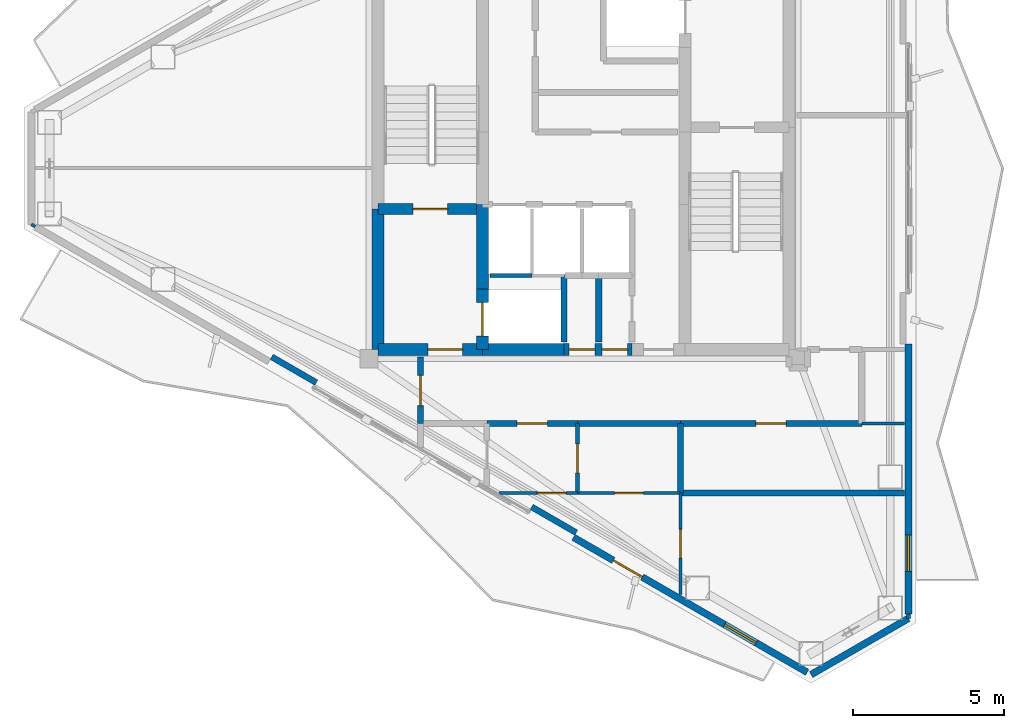
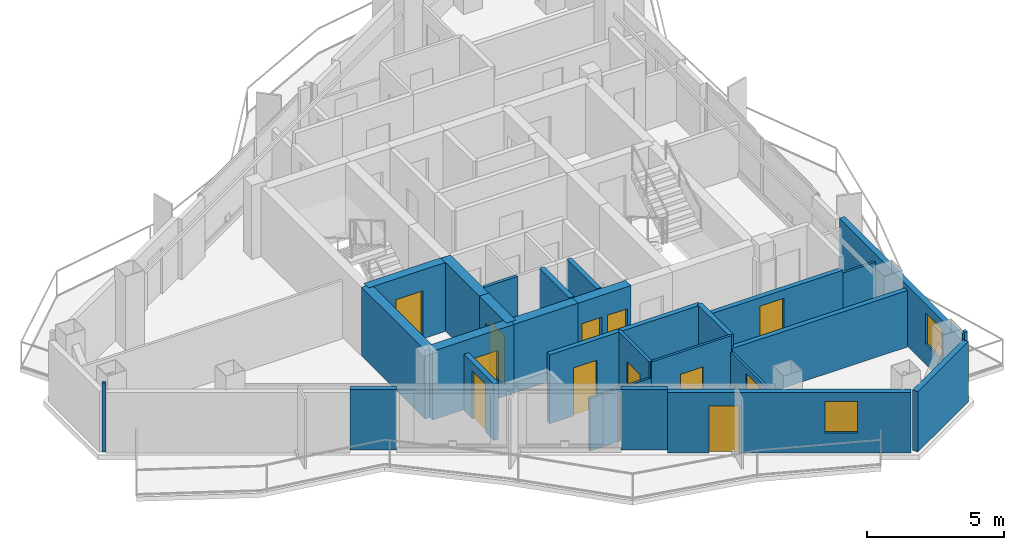
# One storey, part 14 of 18: 28 walls, 13 doors, 2 windows, 15 openings.
"""IFC4 building model written with IfcOpenShell, lengths in metres."""

from ifc_helpers import new_model, si_unit, direction, frame, frame_2d, origin, place, context, subcontext, project, spatial, rectangle, extrude, material, layer, layer_set, type_object, element, fill, save


model = new_model("IFC4")

# Units and contexts
model_context = context("Model", 3, precision=1e-05, world=origin(), true_north=direction((0.0, 1.0)))
body_context = subcontext(model_context, "Body", "Model", "MODEL_VIEW")
ifc_project = project(units=[si_unit("LENGTHUNIT", "METRE"), si_unit("AREAUNIT", "SQUARE_METRE"), si_unit("VOLUMEUNIT", "CUBIC_METRE"), si_unit("PLANEANGLEUNIT", "RADIAN"), si_unit("MASSUNIT", "GRAM", prefix="KILO")], contexts=[model_context])

# Site, building, storey
site_placement = place(None, origin())
site = spatial("IfcSite", under=ifc_project, at=site_placement, CompositionType="ELEMENT")
building_placement = place(site_placement, origin())
building = spatial("IfcBuilding", under=site, at=building_placement, Name="Mersakhor Tower and Convention Hall", CompositionType="ELEMENT")
storey_placement = place(building_placement, frame((0.0, 0.0, 229.800048828125)))
storey = spatial("IfcBuildingStorey", under=building, at=storey_placement, Name="L64", CompositionType="ELEMENT", Elevation=229.800048828125)

# Wall
ifc_material_1 = material(Name="Precast concrete C40/50", Category="concrete")
ifc_layer_1 = layer(ifc_material_1, 0.22509765625)
ifc_layer_set_1 = layer_set([ifc_layer_1], Name="Precast concrete C40/50")
wall_type_1 = type_object("IfcWallType", Name="WL-EXT-225", PredefinedType="SOLIDWALL", material=ifc_layer_set_1)
wall_1_placement = place(storey_placement, frame((39.742919921875, 11.858154296875, 0.0), z_axis=(0.0, 0.0, 1.0), x_axis=(-0.866038962515, -0.499976514854, 0.0)))
element("IfcWall", 1, at=wall_1_placement, inside=storey, type_object=wall_type_1, Name="L64 Chamfer Braced Spandrel Wall C2", PredefinedType="SOLIDWALL", context=body_context, shape_type="SweptSolid", body=[
    extrude(rectangle(XDim=3.715576171875, YDim=0.22509765625, at=frame_2d((1.85791015625, 0.0))), origin(), (0.0, 0.0, 1.0), 2.699951171875),
])

# Wall, opening, window
wall_2_placement = place(storey_placement, frame((39.742919921875, 20.93603515625, 0.0), z_axis=(0.0, 0.0, 1.0), x_axis=(0.0, -1.0, 0.0)))
wall_2 = element("IfcWall", 2, at=wall_2_placement, inside=storey, type_object=wall_type_1, Name="L64 Exterior Facade Wall F2-B3", PredefinedType="SOLIDWALL", context=body_context, shape_type="SweptSolid", body=[
    extrude(rectangle(XDim=8.927734375, YDim=0.22509765625, at=frame_2d((4.4638671875, 0.0))), origin(), (0.0, 0.0, 1.0), 2.699951171875),
])
opening_1_placement = place(wall_2_placement, frame((6.322021484375, 0.0, 0.89990234375)))
opening_1 = element("IfcOpeningElement", 3, at=opening_1_placement, cuts=wall_2, Name="Opening W-01", PredefinedType="OPENING", context=body_context, shape_type="SweptSolid", body=[
    extrude(rectangle(XDim=1.199951171875, YDim=1.39990234375, at=frame_2d((0.60009765625, 0.699951171875))), frame((0.0, 0.12255859375, 0.0), z_axis=(0.0, -1.0, 0.0), x_axis=(1.0, 0.0, 0.0)), (0.0, 0.0, 1.0), 0.2451171875),
])
ifc_material_2 = material(Name="Dark solar low-E glazed aluminium window", Category="aluminium")
window_type = type_object("IfcWindowType", Name="WN-RES-120x150", PartitioningType="SINGLE_PANEL", PredefinedType="WINDOW", material=ifc_material_2)
window_1_placement = place(opening_1_placement, origin())
window_1 = element("IfcWindow", 4, at=window_1_placement, inside=storey, type_object=window_type, Name="L64 Bedroom Facade Window F2-B3-1", OverallHeight=1.39990234375, OverallWidth=1.199951171875, PartitioningType="SINGLE_PANEL", PredefinedType="WINDOW", context=body_context, shape_type="SweptSolid", body=[
    extrude(rectangle(XDim=1.199951171875, YDim=1.39990234375, at=frame_2d((0.60009765625, 0.699951171875))), frame((0.0, 0.030029296875, 0.0), z_axis=(0.0, -1.0, 0.0), x_axis=(1.0, 0.0, 0.0)), (0.0, 0.0, 1.0), 0.06005859375),
])
fill(opening_1, window_1)

# Wall, openings, door, window
wall_3_placement = place(storey_placement, frame((36.395263671875, 10.07568359375, 0.0), z_axis=(0.0, 0.0, 1.0), x_axis=(-0.866026655105, 0.499997832642, 0.0)))
wall_3 = element("IfcWall", 5, at=wall_3_placement, inside=storey, type_object=wall_type_1, Name="L64 Exterior Facade Wall F3-B1", PredefinedType="SOLIDWALL", context=body_context, shape_type="SweptSolid", body=[
    extrude(rectangle(XDim=8.927734375, YDim=0.22509765625, at=frame_2d((4.4638671875, 0.0))), origin(), (0.0, 0.0, 1.0), 2.699951171875),
])
opening_2_placement = place(wall_3_placement, frame((6.302001953125, 0.0, 0.0)))
opening_2 = element("IfcOpeningElement", 6, at=opening_2_placement, cuts=wall_3, Name="Opening BD-02", PredefinedType="OPENING", context=body_context, shape_type="SweptSolid", body=[
    extrude(rectangle(XDim=1.10009765625, YDim=2.10009765625, at=frame_2d((0.550048828125, 1.050048828125))), frame((0.0, 0.12255859375, 0.0), z_axis=(0.0, -1.0, 0.0), x_axis=(1.0, 0.0, 0.0)), (0.0, 0.0, 1.0), 0.2451171875),
])
opening_3_placement = place(wall_3_placement, frame((1.9580078125, 0.0, 0.89990234375)))
opening_3 = element("IfcOpeningElement", 7, at=opening_3_placement, cuts=wall_3, Name="Opening W-01", PredefinedType="OPENING", context=body_context, shape_type="SweptSolid", body=[
    extrude(rectangle(XDim=1.199951171875, YDim=1.39990234375, at=frame_2d((0.60009765625, 0.699951171875))), frame((0.0, 0.12255859375, 0.0), z_axis=(0.0, -1.0, 0.0), x_axis=(1.0, 0.0, 0.0)), (0.0, 0.0, 1.0), 0.2451171875),
])
ifc_material_3 = material(Name="Thermally broken dark aluminium and safety glass", Category="aluminium")
door_type_1 = type_object("IfcDoorType", Name="DR-BAL-110x210", OperationType="NOTDEFINED", PredefinedType="DOOR", material=ifc_material_3)
door_1_placement = place(opening_2_placement, origin())
door_1 = element("IfcDoor", 8, at=door_1_placement, inside=storey, type_object=door_type_1, Name="L64 Balcony Terrace Door F3-B1", OperationType="SINGLE_SWING_RIGHT", OverallHeight=2.10009765625, OverallWidth=1.10009765625, PredefinedType="DOOR", context=body_context, shape_type="SweptSolid", body=[
    extrude(rectangle(XDim=1.10009765625, YDim=2.10009765625, at=frame_2d((0.550048828125, 1.050048828125))), frame((0.0, 0.02490234375, 0.0), z_axis=(0.0, -1.0, 0.0), x_axis=(1.0, 0.0, 0.0)), (0.0, 0.0, 1.0), 0.050048828125),
])
fill(opening_2, door_1)
window_2_placement = place(opening_3_placement, origin())
window_2 = element("IfcWindow", 9, at=window_2_placement, inside=storey, type_object=window_type, Name="L64 Bedroom Facade Window F3-B1-1", OverallHeight=1.39990234375, OverallWidth=1.199951171875, PartitioningType="SINGLE_PANEL", PredefinedType="WINDOW", context=body_context, shape_type="SweptSolid", body=[
    extrude(rectangle(XDim=1.199951171875, YDim=1.39990234375, at=frame_2d((0.60009765625, 0.699951171875))), frame((0.0, 0.030029296875, 0.0), z_axis=(0.0, -1.0, 0.0), x_axis=(1.0, 0.0, 0.0)), (0.0, 0.0, 1.0), 0.06005859375),
])
fill(opening_3, window_2)

# Walls
ifc_material_4 = material(Name="Precast concrete C40/50", Category="concrete")
ifc_layer_2 = layer(ifc_material_4, 0.199951171875)
ifc_layer_set_2 = layer_set([ifc_layer_2], Name="Precast concrete C40/50")
wall_type_2 = type_object("IfcWallType", Name="WL-PAR-200", PredefinedType="PARAPET", material=ifc_layer_set_2)
for number, where, z_axis, x_axis, name in (
    (10, (28.753662109375, 14.6953125, 0.0), (0.0, 0.0, 1.0), (-0.866025371046, 0.500000056704, 0.0), "L64 Column Pier Cladding Wall F3-C1"),
    (11, (20.156005859375, 19.6591796875, 0.0), (0.0, 0.0, 1.0), (-0.866025371046, 0.500000056704, 0.0), "L64 Column Pier Cladding Wall F3-C2"),
):
    element("IfcWall", number, at=place(storey_placement, frame(where, z_axis=z_axis, x_axis=x_axis)), inside=storey, type_object=wall_type_2, Name=name, PredefinedType="PARAPET", context=body_context, shape_type="SweptSolid", body=[
        extrude(rectangle(XDim=1.7001953125, YDim=0.199951171875, at=frame_2d((0.85009765625, 0.0))), origin(), (0.0, 0.0, 1.0), 2.699951171875),
    ])

# Wall, opening, door
ifc_material_5 = material(Name="Lightweight gypsum partition", Category="other")
ifc_layer_3 = layer(ifc_material_5, 0.10009765625)
ifc_layer_set_3 = layer_set([ifc_layer_3], Name="Lightweight gypsum partition")
wall_type_3 = type_object("IfcWallType", Name="WL-PRT-100", PredefinedType="PARTITIONING", material=ifc_layer_set_3)
wall_4_placement = place(storey_placement, frame((28.800048828125, 16.0, 0.0), z_axis=(0.0, 0.0, 1.0), x_axis=(-1.0, 0.0, 0.0)))
wall_4 = element("IfcWall", 12, at=wall_4_placement, inside=storey, type_object=wall_type_3, Name="L64 Interior Partition Wall P-040", PredefinedType="PARTITIONING", context=body_context, shape_type="SweptSolid", body=[
    extrude(rectangle(XDim=2.593505859375, YDim=0.10009765625, at=frame_2d((1.296875, 0.0))), origin(), (0.0, 0.0, 1.0), 2.364990234375),
])
opening_4_placement = place(wall_4_placement, frame((0.376708984375, 0.0, 0.0)))
opening_4 = element("IfcOpeningElement", 13, at=opening_4_placement, cuts=wall_4, Name="Opening RD-01", PredefinedType="OPENING", context=body_context, shape_type="SweptSolid", body=[
    extrude(rectangle(XDim=0.949951171875, YDim=2.10009765625, at=frame_2d((0.47509765625, 1.050048828125))), frame((0.0, 0.06005859375, 0.0), z_axis=(0.0, -1.0, 0.0), x_axis=(1.0, 0.0, 0.0)), (0.0, 0.0, 1.0), 0.1201171875),
])
ifc_material_6 = material(Name="Solid-core hardwood leaf in painted steel frame", Category="steel")
door_type_2 = type_object("IfcDoorType", Name="DR-INT-RM-095x210", OperationType="NOTDEFINED", PredefinedType="DOOR", material=ifc_material_6)
door_2_placement = place(opening_4_placement, origin())
door_2 = element("IfcDoor", 14, at=door_2_placement, inside=storey, type_object=door_type_2, Name="L64 L64 Flat S2 Apartment Hall to L64 Flat S2 Living and Dining Room Door", OperationType="SINGLE_SWING_LEFT", OverallHeight=2.10009765625, OverallWidth=0.949951171875, PredefinedType="DOOR", context=body_context, shape_type="SweptSolid", body=[
    extrude(rectangle(XDim=0.949951171875, YDim=2.10009765625, at=frame_2d((0.47509765625, 1.050048828125))), frame((0.0, 0.02490234375, 0.0), z_axis=(0.0, -1.0, 0.0), x_axis=(1.0, 0.0, 0.0)), (0.0, 0.0, 1.0), 0.050048828125),
])
fill(opening_4, door_2)

wall_5_placement = place(storey_placement, frame((32.199951171875, 16.0, 0.0), z_axis=(0.0, 0.0, 1.0), x_axis=(-1.0, 0.0, 0.0)))
wall_5 = element("IfcWall", 15, at=wall_5_placement, inside=storey, type_object=wall_type_3, Name="L64 Interior Partition Wall P-050", PredefinedType="PARTITIONING", context=body_context, shape_type="SweptSolid", body=[
    extrude(rectangle(XDim=3.39990234375, YDim=0.10009765625, at=frame_2d((1.699951171875, 0.0))), origin(), (0.0, 0.0, 1.0), 3.079833984375),
])
opening_5_placement = place(wall_5_placement, frame((1.22509765625, 0.0, 0.0)))
opening_5 = element("IfcOpeningElement", 16, at=opening_5_placement, cuts=wall_5, Name="Opening RD-01", PredefinedType="OPENING", context=body_context, shape_type="SweptSolid", body=[
    extrude(rectangle(XDim=0.949951171875, YDim=2.10009765625, at=frame_2d((0.47509765625, 1.050048828125))), frame((0.0, 0.06005859375, 0.0), z_axis=(0.0, -1.0, 0.0), x_axis=(1.0, 0.0, 0.0)), (0.0, 0.0, 1.0), 0.1201171875),
])
door_3_placement = place(opening_5_placement, origin())
door_3 = element("IfcDoor", 17, at=door_3_placement, inside=storey, type_object=door_type_2, Name="L64 L64 Flat S2 Kitchen to L64 Flat S2 Living and Dining Room Door", OperationType="SINGLE_SWING_LEFT", OverallHeight=2.10009765625, OverallWidth=0.949951171875, PredefinedType="DOOR", context=body_context, shape_type="SweptSolid", body=[
    extrude(rectangle(XDim=0.949951171875, YDim=2.10009765625, at=frame_2d((0.47509765625, 1.050048828125))), frame((0.0, 0.02490234375, 0.0), z_axis=(0.0, -1.0, 0.0), x_axis=(1.0, 0.0, 0.0)), (0.0, 0.0, 1.0), 0.050048828125),
])
fill(opening_5, door_3)

# Walls
wall_6_placement = place(storey_placement, frame((38.199951171875, 18.300048828125, 0.0), z_axis=(0.0, 0.0, 1.0), x_axis=(1.0, 0.0, 0.0)))
element("IfcWall", 18, at=wall_6_placement, inside=storey, type_object=wall_type_3, Name="L64 Interior Partition Wall P-056", PredefinedType="PARTITIONING", context=body_context, shape_type="SweptSolid", body=[
    extrude(rectangle(XDim=1.40625, YDim=0.10009765625, at=frame_2d((0.703125, 0.0))), origin(), (0.0, 0.0, 1.0), 2.364990234375),
])
wall_7_placement = place(storey_placement, frame((10.86181640625, 24.817138671875, 0.0), z_axis=(0.0, 0.0, 1.0), x_axis=(-0.866131372301, 0.499816412211, 0.0)))
element("IfcWall", 19, at=wall_7_placement, inside=storey, type_object=wall_type_3, Name="L64 Interior Partition Wall P-060", PredefinedType="PARTITIONING", context=body_context, shape_type="SweptSolid", body=[
    extrude(rectangle(XDim=0.14990234375, YDim=0.10009765625, at=frame_2d((0.074951171875, 0.0))), origin(), (0.0, 0.0, 1.0), 3.079833984375),
])

# Wall, opening, door
wall_8_placement = place(storey_placement, frame((32.199951171875, 16.0, 0.0), z_axis=(0.0, 0.0, 1.0), x_axis=(0.0, -1.0, 0.0)))
wall_8 = element("IfcWall", 20, at=wall_8_placement, inside=storey, type_object=wall_type_3, Name="L64 Interior Partition Wall P-066", PredefinedType="PARTITIONING", context=body_context, shape_type="SweptSolid", body=[
    extrude(rectangle(XDim=3.344482421875, YDim=0.10009765625, at=frame_2d((1.67236328125, 0.0))), origin(), (0.0, 0.0, 1.0), 2.364990234375),
])
opening_6_placement = place(wall_8_placement, frame((1.197265625, 0.0, 0.0)))
opening_6 = element("IfcOpeningElement", 21, at=opening_6_placement, cuts=wall_8, Name="Opening RD-01", PredefinedType="OPENING", context=body_context, shape_type="SweptSolid", body=[
    extrude(rectangle(XDim=0.949951171875, YDim=2.10009765625, at=frame_2d((0.47509765625, 1.050048828125))), frame((0.0, 0.06005859375, 0.0), z_axis=(0.0, -1.0, 0.0), x_axis=(1.0, 0.0, 0.0)), (0.0, 0.0, 1.0), 0.1201171875),
])
door_4_placement = place(opening_6_placement, origin())
door_4 = element("IfcDoor", 22, at=door_4_placement, inside=storey, type_object=door_type_2, Name="L64 L64 Flat S2 Living and Dining Room to L64 Flat S2 Master Bedroom Door", OperationType="SINGLE_SWING_LEFT", OverallHeight=2.10009765625, OverallWidth=0.949951171875, PredefinedType="DOOR", context=body_context, shape_type="SweptSolid", body=[
    extrude(rectangle(XDim=0.949951171875, YDim=2.10009765625, at=frame_2d((0.47509765625, 1.050048828125))), frame((0.0, 0.02490234375, 0.0), z_axis=(0.0, -1.0, 0.0), x_axis=(1.0, 0.0, 0.0)), (0.0, 0.0, 1.0), 0.050048828125),
])
fill(opening_6, door_4)

# Wall
ifc_material_7 = material(Name="Gypsum board acoustic partition", Category="other")
ifc_layer_4 = layer(ifc_material_7, 0.125)
ifc_layer_set_4 = layer_set([ifc_layer_4], Name="Gypsum board acoustic partition")
wall_type_4 = type_object("IfcWallType", Name="WL-PRT-125", PredefinedType="PARTITIONING", material=ifc_layer_set_4)
wall_9_placement = place(storey_placement, frame((25.89990234375, 23.199951171875, 0.0), z_axis=(0.0, 0.0, 1.0), x_axis=(1.0, 0.0, 0.0)))
element("IfcWall", 23, at=wall_9_placement, inside=storey, type_object=wall_type_4, Name="L64 Interior Partition Wall P-001", PredefinedType="PARTITIONING", context=body_context, shape_type="SweptSolid", body=[
    extrude(rectangle(XDim=1.400146484375, YDim=0.125, at=frame_2d((0.7001953125, 0.0))), origin(), (0.0, 0.0, 1.0), 3.079833984375),
])

# Wall, opening, door
wall_10_placement = place(storey_placement, frame((28.800048828125, 18.300048828125, 0.0), z_axis=(0.0, 0.0, 1.0), x_axis=(0.0, -1.0, 0.0)))
wall_10 = element("IfcWall", 24, at=wall_10_placement, inside=storey, type_object=wall_type_4, Name="L64 Interior Partition Wall P-039", PredefinedType="PARTITIONING", context=body_context, shape_type="SweptSolid", body=[
    extrude(rectangle(XDim=2.300048828125, YDim=0.125, at=frame_2d((1.14990234375, 0.0))), origin(), (0.0, 0.0, 1.0), 3.079833984375),
])
opening_7_placement = place(wall_10_placement, frame((0.675048828125, 0.0, 0.0)))
opening_7 = element("IfcOpeningElement", 25, at=opening_7_placement, cuts=wall_10, Name="Opening RD-01", PredefinedType="OPENING", context=body_context, shape_type="SweptSolid", body=[
    extrude(rectangle(XDim=0.949951171875, YDim=2.10009765625, at=frame_2d((0.47509765625, 1.050048828125))), frame((0.0, 0.072509765625, 0.0), z_axis=(0.0, -1.0, 0.0), x_axis=(1.0, 0.0, 0.0)), (0.0, 0.0, 1.0), 0.14501953125),
])
door_5_placement = place(opening_7_placement, origin())
door_5 = element("IfcDoor", 26, at=door_5_placement, inside=storey, type_object=door_type_2, Name="L64 L64 Flat S2 Apartment Hall to L64 Flat S2 Kitchen Door", OperationType="SINGLE_SWING_RIGHT", OverallHeight=2.10009765625, OverallWidth=0.949951171875, PredefinedType="DOOR", context=body_context, shape_type="SweptSolid", body=[
    extrude(rectangle(XDim=0.949951171875, YDim=2.10009765625, at=frame_2d((0.47509765625, 1.050048828125))), frame((0.0, 0.02490234375, 0.0), z_axis=(0.0, -1.0, 0.0), x_axis=(1.0, 0.0, 0.0)), (0.0, 0.0, 1.0), 0.050048828125),
])
fill(opening_7, door_5)

# Walls
wall_11_placement = place(storey_placement, frame((39.742919921875, 12.00830078125, 0.0), z_axis=(0.0, 0.0, 1.0), x_axis=(0.0, -1.0, 0.0)))
element("IfcWall", 27, at=wall_11_placement, inside=storey, type_object=wall_type_4, Name="L64 Interior Partition Wall P-067", PredefinedType="PARTITIONING", context=body_context, shape_type="SweptSolid", body=[
    extrude(rectangle(XDim=0.150390625, YDim=0.125, at=frame_2d((0.0751953125, 0.0))), origin(), (0.0, 0.0, 1.0), 3.079833984375),
])
ifc_material_8 = material(Name="Acoustic concrete blockwork and gypsum board", Category="masonry")
ifc_layer_5 = layer(ifc_material_8, 0.199951171875)
ifc_layer_set_5 = layer_set([ifc_layer_5], Name="Acoustic concrete blockwork and gypsum board")
wall_type_5 = type_object("IfcWallType", Name="WL-PRT-200", PredefinedType="PARTITIONING", material=ifc_layer_set_5)
wall_12_placement = place(storey_placement, frame((28.35009765625, 23.199951171875, 0.0), z_axis=(0.0, 0.0, 1.0), x_axis=(0.0, -1.0, 0.0)))
element("IfcWall", 28, at=wall_12_placement, inside=storey, type_object=wall_type_5, Name="L64 Interior Partition Wall P-003", PredefinedType="PARTITIONING", context=body_context, shape_type="SweptSolid", body=[
    extrude(rectangle(XDim=2.199951171875, YDim=0.199951171875, at=frame_2d((1.10009765625, 0.0))), origin(), (0.0, 0.0, 1.0), 3.079833984375),
])

# Wall, opening, door
wall_13_placement = place(storey_placement, frame((38.199951171875, 18.300048828125, 0.0), z_axis=(0.0, 0.0, 1.0), x_axis=(-1.0, 0.0, 0.0)))
wall_13 = element("IfcWall", 29, at=wall_13_placement, inside=storey, type_object=wall_type_5, Name="L64 Interior Partition Wall P-030", PredefinedType="PARTITIONING", context=body_context, shape_type="SweptSolid", body=[
    extrude(rectangle(XDim=6.0, YDim=0.199951171875, at=frame_2d((3.0, 0.0))), origin(), (0.0, 0.0, 1.0), 2.5283203125),
])
opening_8_placement = place(wall_13_placement, frame((2.5, 0.0, 0.0)))
opening_8 = element("IfcOpeningElement", 30, at=opening_8_placement, cuts=wall_13, Name="Opening FD-01", PredefinedType="OPENING", context=body_context, shape_type="SweptSolid", body=[
    extrude(rectangle(XDim=1.0, YDim=2.14990234375, at=frame_2d((0.5, 1.074951171875))), frame((0.0, 0.10986328125, 0.0), z_axis=(0.0, -1.0, 0.0), x_axis=(1.0, 0.0, 0.0)), (0.0, 0.0, 1.0), 0.219970703125),
])
ifc_material_9 = material(Name="Fire-rated hardwood leaf and painted steel frame", Category="steel")
door_type_3 = type_object("IfcDoorType", Name="DR-INT-FLT-100x215", OperationType="NOTDEFINED", PredefinedType="DOOR", material=ifc_material_9)
door_6_placement = place(opening_8_placement, origin())
door_6 = element("IfcDoor", 31, at=door_6_placement, inside=storey, type_object=door_type_3, Name="L64 Residential South Gallery Corridor to L64 South-East Shared Pantry Door", OperationType="SINGLE_SWING_LEFT", OverallHeight=2.14990234375, OverallWidth=1.0, PredefinedType="DOOR", context=body_context, shape_type="SweptSolid", body=[
    extrude(rectangle(XDim=1.0, YDim=2.14990234375, at=frame_2d((0.5, 1.074951171875))), frame((0.0, 0.02490234375, 0.0), z_axis=(0.0, -1.0, 0.0), x_axis=(1.0, 0.0, 0.0)), (0.0, 0.0, 1.0), 0.050048828125),
])
fill(opening_8, door_6)

# Wall
wall_14_placement = place(storey_placement, frame((32.199951171875, 18.300048828125, 0.0), z_axis=(0.0, 0.0, 1.0), x_axis=(-1.0, 0.0, 0.0)))
element("IfcWall", 32, at=wall_14_placement, inside=storey, type_object=wall_type_5, Name="L64 Interior Partition Wall P-031", PredefinedType="PARTITIONING", context=body_context, shape_type="SweptSolid", body=[
    extrude(rectangle(XDim=3.39990234375, YDim=0.199951171875, at=frame_2d((1.699951171875, 0.0))), origin(), (0.0, 0.0, 1.0), 3.079833984375),
])

# Wall, opening, door
wall_15_placement = place(storey_placement, frame((28.800048828125, 18.300048828125, 0.0), z_axis=(0.0, 0.0, 1.0), x_axis=(-1.0, 0.0, 0.0)))
wall_15 = element("IfcWall", 33, at=wall_15_placement, inside=storey, type_object=wall_type_5, Name="L64 Interior Partition Wall P-032", PredefinedType="PARTITIONING", context=body_context, shape_type="SweptSolid", body=[
    extrude(rectangle(XDim=3.0, YDim=0.199951171875, at=frame_2d((1.5, 0.0))), origin(), (0.0, 0.0, 1.0), 3.079833984375),
])
opening_9_placement = place(wall_15_placement, frame((1.0, 0.0, 0.0)))
opening_9 = element("IfcOpeningElement", 34, at=opening_9_placement, cuts=wall_15, Name="Opening FD-01", PredefinedType="OPENING", context=body_context, shape_type="SweptSolid", body=[
    extrude(rectangle(XDim=1.0, YDim=2.14990234375, at=frame_2d((0.5, 1.074951171875))), frame((0.0, 0.10986328125, 0.0), z_axis=(0.0, -1.0, 0.0), x_axis=(1.0, 0.0, 0.0)), (0.0, 0.0, 1.0), 0.219970703125),
])
door_7_placement = place(opening_9_placement, origin())
door_7 = element("IfcDoor", 35, at=door_7_placement, inside=storey, type_object=door_type_3, Name="L64 Apartment Entrance Door (Residential South Gallery Corridor to L64 Flat S2 Apartment Hall)", OperationType="SINGLE_SWING_RIGHT", OverallHeight=2.14990234375, OverallWidth=1.0, PredefinedType="DOOR", context=body_context, shape_type="SweptSolid", body=[
    extrude(rectangle(XDim=1.0, YDim=2.14990234375, at=frame_2d((0.5, 1.074951171875))), frame((0.0, 0.02490234375, 0.0), z_axis=(0.0, -1.0, 0.0), x_axis=(1.0, 0.0, 0.0)), (0.0, 0.0, 1.0), 0.050048828125),
])
fill(opening_9, door_7)

wall_16_placement = place(storey_placement, frame((23.60009765625, 18.300048828125, 0.0), z_axis=(0.0, 0.0, 1.0), x_axis=(0.0, 1.0, 0.0)))
wall_16 = element("IfcWall", 36, at=wall_16_placement, inside=storey, type_object=wall_type_5, Name="L64 Interior Partition Wall P-034", PredefinedType="PARTITIONING", context=body_context, shape_type="SweptSolid", body=[
    extrude(rectangle(XDim=2.199951171875, YDim=0.199951171875, at=frame_2d((1.10009765625, 0.0))), origin(), (0.0, 0.0, 1.0), 2.5283203125),
])
opening_10_placement = place(wall_16_placement, frame((0.60009765625, 0.0, 0.0)))
opening_10 = element("IfcOpeningElement", 37, at=opening_10_placement, cuts=wall_16, Name="Opening FD-01", PredefinedType="OPENING", context=body_context, shape_type="SweptSolid", body=[
    extrude(rectangle(XDim=1.0, YDim=2.14990234375, at=frame_2d((0.5, 1.074951171875))), frame((0.0, 0.10986328125, 0.0), z_axis=(0.0, -1.0, 0.0), x_axis=(1.0, 0.0, 0.0)), (0.0, 0.0, 1.0), 0.219970703125),
])
door_8_placement = place(opening_10_placement, origin())
door_8 = element("IfcDoor", 38, at=door_8_placement, inside=storey, type_object=door_type_3, Name="L64 Residential South Gallery Corridor to L64 West Crown Quiet Focus Lounge Door", OperationType="SINGLE_SWING_RIGHT", OverallHeight=2.14990234375, OverallWidth=1.0, PredefinedType="DOOR", context=body_context, shape_type="SweptSolid", body=[
    extrude(rectangle(XDim=1.0, YDim=2.14990234375, at=frame_2d((0.5, 1.074951171875))), frame((0.0, 0.02490234375, 0.0), z_axis=(0.0, -1.0, 0.0), x_axis=(1.0, 0.0, 0.0)), (0.0, 0.0, 1.0), 0.050048828125),
])
fill(opening_10, door_8)

# Walls
wall_17_placement = place(storey_placement, frame((32.199951171875, 18.300048828125, 0.0), z_axis=(0.0, 0.0, 1.0), x_axis=(0.0, -1.0, 0.0)))
element("IfcWall", 39, at=wall_17_placement, inside=storey, type_object=wall_type_5, Name="L64 Interior Partition Wall P-051", PredefinedType="PARTITIONING", context=body_context, shape_type="SweptSolid", body=[
    extrude(rectangle(XDim=2.300048828125, YDim=0.199951171875, at=frame_2d((1.14990234375, 0.0))), origin(), (0.0, 0.0, 1.0), 3.079833984375),
])
wall_18_placement = place(storey_placement, frame((29.5, 23.199951171875, 0.0), z_axis=(0.0, 0.0, 1.0), x_axis=(0.0, -1.0, 0.0)))
element("IfcWall", 40, at=wall_18_placement, inside=storey, type_object=wall_type_5, Name="L64 Interior Partition Wall P-053", PredefinedType="PARTITIONING", context=body_context, shape_type="SweptSolid", body=[
    extrude(rectangle(XDim=2.199951171875, YDim=0.199951171875, at=frame_2d((1.10009765625, 0.0))), origin(), (0.0, 0.0, 1.0), 3.079833984375),
])
wall_19_placement = place(storey_placement, frame((39.606201171875, 16.0, 0.0), z_axis=(0.0, 0.0, 1.0), x_axis=(-1.0, 0.0, 0.0)))
element("IfcWall", 41, at=wall_19_placement, inside=storey, type_object=wall_type_5, Name="L64 Interior Partition Wall P-057", PredefinedType="PARTITIONING", context=body_context, shape_type="SweptSolid", body=[
    extrude(rectangle(XDim=7.40625, YDim=0.199951171875, at=frame_2d((3.703125, 0.0))), origin(), (0.0, 0.0, 1.0), 2.5283203125),
])

# Wall, opening, door
ifc_material_10 = material(Name="Concrete C50/60", Category="concrete")
ifc_layer_6 = layer(ifc_material_10, 0.35009765625)
ifc_layer_set_6 = layer_set([ifc_layer_6], Name="Concrete C50/60")
wall_type_6 = type_object("IfcWallType", Name="WL-SHR-350", PredefinedType="SHEAR", material=ifc_layer_set_6)
wall_20_placement = place(storey_placement, frame((22.199951171875, 25.39990234375, 0.0), z_axis=(0.0, 0.0, 1.0), x_axis=(1.0, 0.0, 0.0)))
wall_20 = element("IfcWall", 42, at=wall_20_placement, inside=storey, type_object=wall_type_6, Name="L64 Core Wall CS-ST1-S", PredefinedType="SHEAR", context=body_context, shape_type="SweptSolid", body=[
    extrude(rectangle(XDim=3.449951171875, YDim=0.35009765625, at=frame_2d((1.72509765625, 0.0))), origin(), (0.0, 0.0, 1.0), 3.079833984375),
])
opening_11_placement = place(wall_20_placement, frame((1.14990234375, 0.0, 0.0)))
opening_11 = element("IfcOpeningElement", 43, at=opening_11_placement, cuts=wall_20, Name="Opening SD-01", PredefinedType="OPENING", context=body_context, shape_type="SweptSolid", body=[
    extrude(rectangle(XDim=1.14990234375, YDim=2.14990234375, at=frame_2d((0.574951171875, 1.074951171875))), frame((0.0, 0.18505859375, 0.0), z_axis=(0.0, -1.0, 0.0), x_axis=(1.0, 0.0, 0.0)), (0.0, 0.0, 1.0), 0.3701171875),
])
ifc_material_11 = material(Name="Fire-rated hardwood leaf and painted steel frame", Category="steel")
door_type_4 = type_object("IfcDoorType", Name="DR-INT-STAIR-115x215", OperationType="NOTDEFINED", PredefinedType="DOOR", material=ifc_material_11)
door_9_placement = place(opening_11_placement, origin())
door_9 = element("IfcDoor", 44, at=door_9_placement, inside=storey, type_object=door_type_4, Name="L64 Exit Stair ST-1 Enclosure Door", OperationType="SINGLE_SWING_LEFT", OverallHeight=2.14990234375, OverallWidth=1.14990234375, PredefinedType="DOOR", context=body_context, shape_type="SweptSolid", body=[
    extrude(rectangle(XDim=1.14990234375, YDim=2.14990234375, at=frame_2d((0.574951171875, 1.074951171875))), frame((0.0, 0.02490234375, 0.0), z_axis=(0.0, -1.0, 0.0), x_axis=(1.0, 0.0, 0.0)), (0.0, 0.0, 1.0), 0.050048828125),
])
fill(opening_11, door_9)

# Wall
ifc_material_12 = material(Name="Concrete C60/75", Category="concrete")
ifc_layer_7 = layer(ifc_material_12, 0.39990234375)
ifc_layer_set_7 = layer_set([ifc_layer_7], Name="Concrete C60/75")
wall_type_7 = type_object("IfcWallType", Name="WL-SHR-400", PredefinedType="SHEAR", material=ifc_layer_set_7)
wall_21_placement = place(storey_placement, frame((22.199951171875, 20.75, 0.0), z_axis=(0.0, 0.0, 1.0), x_axis=(0.0, 1.0, 0.0)))
element("IfcWall", 45, at=wall_21_placement, inside=storey, type_object=wall_type_7, Name="L64 Core Wall CW-W1", PredefinedType="SHEAR", context=body_context, shape_type="SweptSolid", body=[
    extrude(rectangle(XDim=4.64990234375, YDim=0.39990234375, at=frame_2d((2.324951171875, 0.0))), origin(), (0.0, 0.0, 1.0), 3.079833984375),
])

# Wall, openings, doors
wall_22_placement = place(storey_placement, frame((30.60009765625, 20.75, 0.0), z_axis=(0.0, 0.0, 1.0), x_axis=(-1.0, 0.0, 0.0)))
wall_22 = element("IfcWall", 46, at=wall_22_placement, inside=storey, type_object=wall_type_7, Name="L64 Core Wall CW-S2B", PredefinedType="SHEAR", context=body_context, shape_type="SweptSolid", body=[
    extrude(rectangle(XDim=2.25, YDim=0.39990234375, at=frame_2d((1.125, 0.0))), origin(), (0.0, 0.0, 1.0), 3.079833984375),
])
opening_12_placement = place(wall_22_placement, frame((1.22998046875, 0.0, 0.0)))
opening_12 = element("IfcOpeningElement", 47, at=opening_12_placement, cuts=wall_22, Name="Opening SVD-01", PredefinedType="OPENING", context=body_context, shape_type="SweptSolid", body=[
    extrude(rectangle(XDim=0.85009765625, YDim=2.10009765625, at=frame_2d((0.425048828125, 1.050048828125))), frame((0.0, 0.2099609375, 0.0), z_axis=(0.0, -1.0, 0.0), x_axis=(1.0, 0.0, 0.0)), (0.0, 0.0, 1.0), 0.419921875),
])
opening_13_placement = place(wall_22_placement, frame((0.14501953125, 0.0, 0.0)))
opening_13 = element("IfcOpeningElement", 48, at=opening_13_placement, cuts=wall_22, Name="Opening SVD-01", PredefinedType="OPENING", context=body_context, shape_type="SweptSolid", body=[
    extrude(rectangle(XDim=0.85009765625, YDim=2.10009765625, at=frame_2d((0.425048828125, 1.050048828125))), frame((0.0, 0.2099609375, 0.0), z_axis=(0.0, -1.0, 0.0), x_axis=(1.0, 0.0, 0.0)), (0.0, 0.0, 1.0), 0.419921875),
])
ifc_material_13 = material(Name="Fire-rated hardwood leaf and painted steel frame", Category="steel")
door_type_5 = type_object("IfcDoorType", Name="DR-INT-SVC-085x210", OperationType="NOTDEFINED", PredefinedType="DOOR", material=ifc_material_13)
door_10_placement = place(opening_12_placement, origin())
door_10 = element("IfcDoor", 49, at=door_10_placement, inside=storey, type_object=door_type_5, Name="L64 Residential South Gallery Corridor to Mechanical Valve Plant Room Door", OperationType="SINGLE_SWING_LEFT", OverallHeight=2.10009765625, OverallWidth=0.85009765625, PredefinedType="DOOR", context=body_context, shape_type="SweptSolid", body=[
    extrude(rectangle(XDim=0.85009765625, YDim=2.10009765625, at=frame_2d((0.425048828125, 1.050048828125))), frame((0.0, 0.02490234375, 0.0), z_axis=(0.0, -1.0, 0.0), x_axis=(1.0, 0.0, 0.0)), (0.0, 0.0, 1.0), 0.050048828125),
])
fill(opening_12, door_10)
door_11_placement = place(opening_13_placement, origin())
door_11 = element("IfcDoor", 50, at=door_11_placement, inside=storey, type_object=door_type_5, Name="L64 Residential South Gallery Corridor to Cleaner Store Room Door", OperationType="SINGLE_SWING_RIGHT", OverallHeight=2.10009765625, OverallWidth=0.85009765625, PredefinedType="DOOR", context=body_context, shape_type="SweptSolid", body=[
    extrude(rectangle(XDim=0.85009765625, YDim=2.10009765625, at=frame_2d((0.425048828125, 1.050048828125))), frame((0.0, 0.02490234375, 0.0), z_axis=(0.0, -1.0, 0.0), x_axis=(1.0, 0.0, 0.0)), (0.0, 0.0, 1.0), 0.050048828125),
])
fill(opening_13, door_11)

# Wall
wall_23_placement = place(storey_placement, frame((28.35009765625, 20.75, 0.0), z_axis=(0.0, 0.0, 1.0), x_axis=(-1.0, 0.0, 0.0)))
element("IfcWall", 51, at=wall_23_placement, inside=storey, type_object=wall_type_7, Name="L64 Core Wall CW-S3", PredefinedType="SHEAR", context=body_context, shape_type="SweptSolid", body=[
    extrude(rectangle(XDim=2.7001953125, YDim=0.39990234375, at=frame_2d((1.35009765625, 0.0))), origin(), (0.0, 0.0, 1.0), 3.079833984375),
])

# Wall, opening, door
wall_24_placement = place(storey_placement, frame((25.64990234375, 20.75, 0.0), z_axis=(0.0, 0.0, 1.0), x_axis=(-1.0, 0.0, 0.0)))
wall_24 = element("IfcWall", 52, at=wall_24_placement, inside=storey, type_object=wall_type_7, Name="L64 Core Wall CW-S4", PredefinedType="SHEAR", context=body_context, shape_type="SweptSolid", body=[
    extrude(rectangle(XDim=3.449951171875, YDim=0.39990234375, at=frame_2d((1.72509765625, 0.0))), origin(), (0.0, 0.0, 1.0), 3.079833984375),
])
opening_14_placement = place(wall_24_placement, frame((0.64990234375, 0.0, 0.0)))
opening_14 = element("IfcOpeningElement", 53, at=opening_14_placement, cuts=wall_24, Name="Opening SD-01", PredefinedType="OPENING", context=body_context, shape_type="SweptSolid", body=[
    extrude(rectangle(XDim=1.14990234375, YDim=2.14990234375, at=frame_2d((0.574951171875, 1.074951171875))), frame((0.0, 0.2099609375, 0.0), z_axis=(0.0, -1.0, 0.0), x_axis=(1.0, 0.0, 0.0)), (0.0, 0.0, 1.0), 0.419921875),
])
door_12_placement = place(opening_14_placement, origin())
door_12 = element("IfcDoor", 54, at=door_12_placement, inside=storey, type_object=door_type_4, Name="L64 Firefighting Lobby West Fire Door", OperationType="SINGLE_SWING_LEFT", OverallHeight=2.14990234375, OverallWidth=1.14990234375, PredefinedType="DOOR", context=body_context, shape_type="SweptSolid", body=[
    extrude(rectangle(XDim=1.14990234375, YDim=2.14990234375, at=frame_2d((0.574951171875, 1.074951171875))), frame((0.0, 0.02490234375, 0.0), z_axis=(0.0, -1.0, 0.0), x_axis=(1.0, 0.0, 0.0)), (0.0, 0.0, 1.0), 0.050048828125),
])
fill(opening_14, door_12)

wall_25_placement = place(storey_placement, frame((25.64990234375, 20.75, 0.0), z_axis=(0.0, 0.0, 1.0), x_axis=(0.0, 1.0, 0.0)))
wall_25 = element("IfcWall", 55, at=wall_25_placement, inside=storey, type_object=wall_type_7, Name="L64 Core Wall CS-W-FFL", PredefinedType="SHEAR", context=body_context, shape_type="SweptSolid", body=[
    extrude(rectangle(XDim=2.0, YDim=0.39990234375, at=frame_2d((1.0, 0.0))), origin(), (0.0, 0.0, 1.0), 3.079833984375),
])
opening_15_placement = place(wall_25_placement, frame((0.449951171875, 0.0, 0.0)))
opening_15 = element("IfcOpeningElement", 56, at=opening_15_placement, cuts=wall_25, Name="Opening LD-FFL1", PredefinedType="OPENING", context=body_context, shape_type="SweptSolid", body=[
    extrude(rectangle(XDim=1.10009765625, YDim=2.14990234375, at=frame_2d((0.550048828125, 1.074951171875))), frame((0.0, 0.2099609375, 0.0), z_axis=(0.0, -1.0, 0.0), x_axis=(1.0, 0.0, 0.0)), (0.0, 0.0, 1.0), 0.419921875),
])
ifc_material_14 = material(Name="Fire-rated brushed stainless steel sliding landing door", Category="steel")
door_type_6 = type_object("IfcDoorType", Name="DR-LIFT-SLD-110x215", OperationType="NOTDEFINED", PredefinedType="DOOR", material=ifc_material_14)
door_13_placement = place(opening_15_placement, origin())
door_13 = element("IfcDoor", 57, at=door_13_placement, inside=storey, type_object=door_type_6, Name="L64 Firefighting Lift Landing Door LD-FFL1", OperationType="SLIDING_TO_LEFT", OverallHeight=2.14990234375, OverallWidth=1.10009765625, PredefinedType="DOOR", context=body_context, shape_type="SweptSolid", body=[
    extrude(rectangle(XDim=1.10009765625, YDim=2.14990234375, at=frame_2d((0.550048828125, 1.074951171875))), frame((0.0, 0.02490234375, 0.0), z_axis=(0.0, -1.0, 0.0), x_axis=(1.0, 0.0, 0.0)), (0.0, 0.0, 1.0), 0.050048828125),
])
fill(opening_15, door_13)

# Wall
wall_26_placement = place(storey_placement, frame((25.64990234375, 22.75, 0.0), z_axis=(0.0, 0.0, 1.0), x_axis=(0.0, 1.0, 0.0)))
element("IfcWall", 58, at=wall_26_placement, inside=storey, type_object=wall_type_7, Name="L64 Core Wall CS-W-MID", PredefinedType="SHEAR", context=body_context, shape_type="SweptSolid", body=[
    extrude(rectangle(XDim=2.800048828125, YDim=0.39990234375, at=frame_2d((1.39990234375, 0.0))), origin(), (0.0, 0.0, 1.0), 3.079833984375),
])

save(model, "model.ifc")
